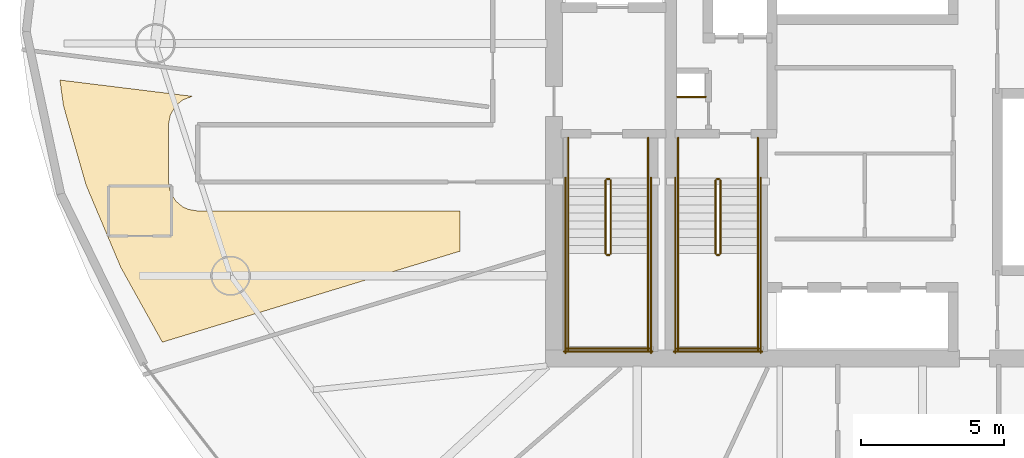
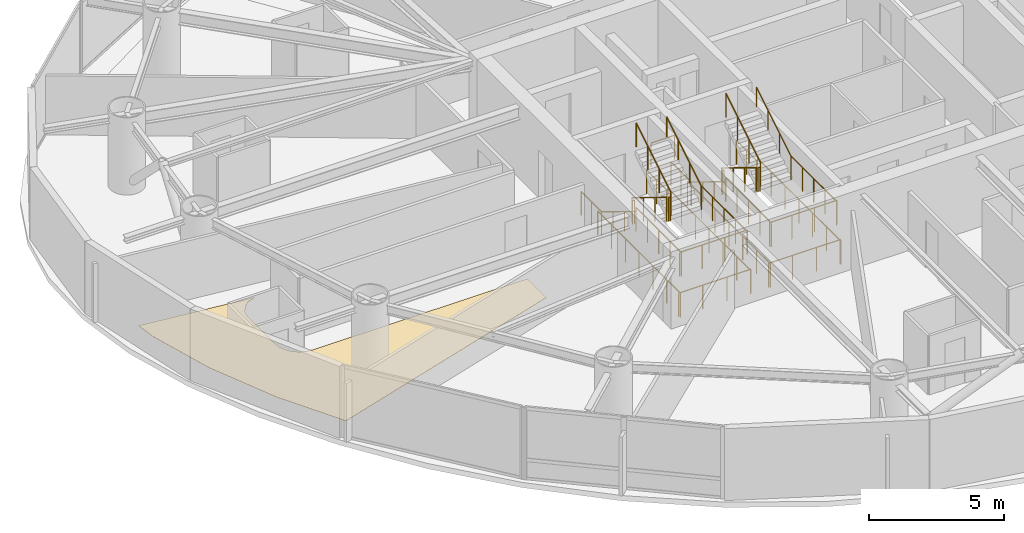
# One storey, part 18 of 20: 29 railings, 1 covering.
"""IFC4 building model written with IfcOpenShell, lengths in metres."""

from ifc_helpers import new_model, si_unit, direction, frame, origin, origin_2d, place, context, subcontext, project, spatial, polyline, circle, outline, extrude, material, layer, layer_set, type_object, element, save


model = new_model("IFC4")

# Units and contexts
model_context = context("Model", 3, precision=1e-05, world=origin(), true_north=direction((0.0, 1.0)))
body_context = subcontext(model_context, "Body", "Model", "MODEL_VIEW")
ifc_project = project(units=[si_unit("LENGTHUNIT", "METRE"), si_unit("AREAUNIT", "SQUARE_METRE"), si_unit("VOLUMEUNIT", "CUBIC_METRE"), si_unit("PLANEANGLEUNIT", "RADIAN"), si_unit("MASSUNIT", "GRAM", prefix="KILO")], contexts=[model_context])

# Site, building, storey
site_placement = place(None, origin())
site = spatial("IfcSite", under=ifc_project, at=site_placement, CompositionType="ELEMENT")
building_placement = place(site_placement, origin())
building = spatial("IfcBuilding", under=site, at=building_placement, Name="Bramvorn Convention Spire", CompositionType="ELEMENT")
storey_placement = place(building_placement, frame((0.0, 0.0, 106.300048828125)))
storey = spatial("IfcBuildingStorey", under=building, at=storey_placement, Name="L25", CompositionType="ELEMENT", Elevation=106.300048828125)

# Covering
ifc_material_1 = material(Name="Solution-Dyed Wool Broadloom Hospitality Carpet", Category="textile")
ifc_layer = layer(ifc_material_1, 0.014892578125)
ifc_layer_set = layer_set([ifc_layer], Name="Solution-Dyed Wool Broadloom Hospitality Carpet - FLR-CARPET-15")
covering_type = type_object("IfcCoveringType", Name="FLR-CARPET-15", PredefinedType="FLOORING", material=ifc_layer_set)
covering_placement = place(storey_placement, origin())
element("IfcCovering", 1, at=covering_placement, inside=storey, type_object=covering_type, Name="Hotel Suite 2508 wool broadloom carpet", PredefinedType="FLOORING", context=body_context, shape_type="SweptSolid", body=[
    extrude(outline(polyline([(13.26171875, 19.3779296875), (23.699951171875, 22.569091796875), (23.699951171875, 23.97998046875), (14.5, 23.97998046875), (14.162109375, 24.037841796875), (13.970703125, 24.12841796875), (13.740478515625, 24.319580078125), (13.58056640625, 24.55859375), (13.50927734375, 24.7578125), (13.47998046875, 25.0), (13.481201171875, 27.044189453125), (13.541748046875, 27.34912109375), (13.740478515625, 27.680419921875), (13.980712890625, 27.877685546875), (14.31298828125, 28.001708984375), (9.668701171875, 28.572021484375), (9.79150390625, 27.676513671875), (10.586181640625, 24.88818359375), (11.802490234375, 22.003662109375), (13.26171875, 19.3779296875)])), origin(), (0.0, 0.0, 1.0), 0.014892578125),
])

# Railings
ifc_material_2 = material(Name="Painted Steel Balustrade & Guardrail", Category="steel")
railing_type_1 = type_object("IfcRailingType", Name="RL-STAIR-GUARD-1100", PredefinedType="GUARDRAIL", material=ifc_material_2)
railing_1_placement = place(storey_placement, frame((28.81005859375, 25.050048828125, 0.175048828125)))
element("IfcRailing", 2, at=railing_1_placement, inside=storey, type_object=railing_type_1, Name="L25 ST1 stair guard 1", PredefinedType="GUARDRAIL", context=body_context, shape_type="SweptSolid", body=[
    extrude(circle(Radius=0.02392578125, at=origin_2d()), frame((0.0, 0.0, 1.076171875), z_axis=(0.0, -0.852173129349, 0.523259933127), x_axis=(1.0, 0.0, 0.0)), (0.0, 0.0, 1.0), 3.009765625),
    extrude(circle(Radius=0.02099609375, at=origin_2d()), origin(), (0.0, 0.0, 1.0), 1.052001953125),
    extrude(circle(Radius=0.02099609375, at=origin_2d()), frame((0.0, -0.85498046875, 0.52490234375)), (0.0, 0.0, 1.0), 1.052001953125),
    extrude(circle(Radius=0.02099609375, at=origin_2d()), frame((0.0, -1.7099609375, 1.050048828125)), (0.0, 0.0, 1.0), 1.052001953125),
    extrude(circle(Radius=0.02099609375, at=origin_2d()), frame((0.0, -2.56494140625, 1.574951171875)), (0.0, 0.0, 1.0), 1.052001953125),
])
railing_2_placement = place(storey_placement, frame((28.860107421875, 22.43505859375, 1.75)))
element("IfcRailing", 3, at=railing_2_placement, inside=storey, type_object=railing_type_1, Name="L25 ST1 stair guard 2", PredefinedType="GUARDRAIL", context=body_context, shape_type="SweptSolid", body=[
    extrude(circle(Radius=0.02392578125, at=origin_2d()), frame((0.0, 0.0, 1.076171875), z_axis=(1.0, 0.0, 0.0), x_axis=(0.0, 1.0, 0.0)), (0.0, 0.0, 1.0), 0.079833984375),
    extrude(circle(Radius=0.02099609375, at=origin_2d()), origin(), (0.0, 0.0, 1.0), 1.052001953125),
    extrude(circle(Radius=0.02099609375, at=origin_2d()), frame((0.079833984375, 0.0, 0.0)), (0.0, 0.0, 1.0), 1.052001953125),
])
for number, where, name in (
    (4, (27.5, 22.485107421875, 1.75), "L25 ST1 stair guard 3"),
    (5, (30.300048828125, 22.485107421875, 1.75), "L25 ST1 stair guard 4"),
):
    element("IfcRailing", number, at=place(storey_placement, frame(where)), inside=storey, type_object=railing_type_1, Name=name, PredefinedType="GUARDRAIL", context=body_context, shape_type="SweptSolid", body=[
        extrude(circle(Radius=0.02392578125, at=origin_2d()), frame((0.0, 0.0, 1.076171875), z_axis=(0.0, -1.0, 0.0), x_axis=(1.0, 0.0, 0.0)), (0.0, 0.0, 1.0), 3.385009765625),
        extrude(circle(Radius=0.02099609375, at=origin_2d()), origin(), (0.0, 0.0, 1.0), 1.052001953125),
        extrude(circle(Radius=0.02099609375, at=origin_2d()), frame((0.0, -0.84619140625, 0.0)), (0.0, 0.0, 1.0), 1.052001953125),
        extrude(circle(Radius=0.02099609375, at=origin_2d()), frame((0.0, -1.6923828125, 0.0)), (0.0, 0.0, 1.0), 1.052001953125),
        extrude(circle(Radius=0.02099609375, at=origin_2d()), frame((0.0, -2.538818359375, 0.0)), (0.0, 0.0, 1.0), 1.052001953125),
        extrude(circle(Radius=0.02099609375, at=origin_2d()), frame((0.0, -3.385009765625, 0.0)), (0.0, 0.0, 1.0), 1.052001953125),
    ])
railing_3_placement = place(storey_placement, frame((27.449951171875, 19.14990234375, 1.75)))
element("IfcRailing", 6, at=railing_3_placement, inside=storey, type_object=railing_type_1, Name="L25 ST1 stair guard 5", PredefinedType="GUARDRAIL", context=body_context, shape_type="SweptSolid", body=[
    extrude(circle(Radius=0.02392578125, at=origin_2d()), frame((0.0, 0.0, 1.076171875), z_axis=(1.0, 0.0, 0.0), x_axis=(0.0, 1.0, 0.0)), (0.0, 0.0, 1.0), 2.900146484375),
    extrude(circle(Radius=0.02099609375, at=origin_2d()), origin(), (0.0, 0.0, 1.0), 1.052001953125),
    extrude(circle(Radius=0.02099609375, at=origin_2d()), frame((0.966796875, 0.0, 0.0)), (0.0, 0.0, 1.0), 1.052001953125),
    extrude(circle(Radius=0.02099609375, at=origin_2d()), frame((1.933349609375, 0.0, 0.0)), (0.0, 0.0, 1.0), 1.052001953125),
    extrude(circle(Radius=0.02099609375, at=origin_2d()), frame((2.900146484375, 0.0, 0.0)), (0.0, 0.0, 1.0), 1.052001953125),
])
railing_4_placement = place(storey_placement, frame((28.989990234375, 22.485107421875, 1.925048828125)))
element("IfcRailing", 7, at=railing_4_placement, inside=storey, type_object=railing_type_1, Name="L25 ST1 stair guard 6", PredefinedType="GUARDRAIL", context=body_context, shape_type="SweptSolid", body=[
    extrude(circle(Radius=0.02392578125, at=origin_2d()), frame((0.0, 0.0, 1.076171875), z_axis=(0.0, 0.852173129349, 0.523259933127), x_axis=(-1.0, 0.0, 0.0)), (0.0, 0.0, 1.0), 3.009765625),
    extrude(circle(Radius=0.02099609375, at=origin_2d()), origin(), (0.0, 0.0, 1.0), 1.052001953125),
    extrude(circle(Radius=0.02099609375, at=origin_2d()), frame((0.0, 0.85498046875, 0.52490234375)), (0.0, 0.0, 1.0), 1.052001953125),
    extrude(circle(Radius=0.02099609375, at=origin_2d()), frame((0.0, 1.7099609375, 1.050048828125)), (0.0, 0.0, 1.0), 1.052001953125),
    extrude(circle(Radius=0.02099609375, at=origin_2d()), frame((0.0, 2.56494140625, 1.574951171875)), (0.0, 0.0, 1.0), 1.052001953125),
])
railing_5_placement = place(storey_placement, frame((28.860107421875, 25.10009765625, 0.0)))
element("IfcRailing", 8, at=railing_5_placement, inside=storey, type_object=railing_type_1, Name="L25 ST1 stair guard 7", PredefinedType="GUARDRAIL", context=body_context, shape_type="SweptSolid", body=[
    extrude(circle(Radius=0.02392578125, at=origin_2d()), frame((0.0, 0.0, 1.076171875), z_axis=(1.0, 0.0, 0.0), x_axis=(0.0, 1.0, 0.0)), (0.0, 0.0, 1.0), 0.079833984375),
    extrude(circle(Radius=0.02099609375, at=origin_2d()), origin(), (0.0, 0.0, 1.0), 1.052001953125),
    extrude(circle(Radius=0.02099609375, at=origin_2d()), frame((0.079833984375, 0.0, 0.0)), (0.0, 0.0, 1.0), 1.052001953125),
])
for number, where, name in (
    (9, (27.5, 26.550048828125, 0.0), "L25 ST1 stair guard 8"),
    (10, (30.300048828125, 26.550048828125, 0.0), "L25 ST1 stair guard 9"),
):
    element("IfcRailing", number, at=place(storey_placement, frame(where)), inside=storey, type_object=railing_type_1, Name=name, PredefinedType="GUARDRAIL", context=body_context, shape_type="SweptSolid", body=[
        extrude(circle(Radius=0.02392578125, at=origin_2d()), frame((0.0, 0.0, 1.076171875), z_axis=(0.0, -1.0, 0.0), x_axis=(1.0, 0.0, 0.0)), (0.0, 0.0, 1.0), 1.5),
        extrude(circle(Radius=0.02099609375, at=origin_2d()), origin(), (0.0, 0.0, 1.0), 1.052001953125),
        extrude(circle(Radius=0.02099609375, at=origin_2d()), frame((0.0, -0.75, 0.0)), (0.0, 0.0, 1.0), 1.052001953125),
        extrude(circle(Radius=0.02099609375, at=origin_2d()), frame((0.0, -1.5, 0.0)), (0.0, 0.0, 1.0), 1.052001953125),
    ])
for number, where, name in (
    (11, (27.39990234375, 25.14990234375, 0.0), "L25 ST1 stair guard 10"),
    (12, (30.39990234375, 25.14990234375, 0.0), "L25 ST1 stair guard 11"),
):
    element("IfcRailing", number, at=place(storey_placement, frame(where)), inside=storey, type_object=railing_type_1, Name=name, PredefinedType="GUARDRAIL", context=body_context, shape_type="SweptSolid", body=[
        extrude(circle(Radius=0.02392578125, at=origin_2d()), frame((0.0, 0.0, 1.076171875), z_axis=(0.0, -1.0, 0.0), x_axis=(1.0, 0.0, 0.0)), (0.0, 0.0, 1.0), 6.14990234375),
        extrude(circle(Radius=0.02099609375, at=origin_2d()), origin(), (0.0, 0.0, 1.0), 1.052001953125),
        extrude(circle(Radius=0.02099609375, at=origin_2d()), frame((0.0, -1.02490234375, 0.0)), (0.0, 0.0, 1.0), 1.052001953125),
        extrude(circle(Radius=0.02099609375, at=origin_2d()), frame((0.0, -2.050048828125, 0.0)), (0.0, 0.0, 1.0), 1.052001953125),
        extrude(circle(Radius=0.02099609375, at=origin_2d()), frame((0.0, -3.074951171875, 0.0)), (0.0, 0.0, 1.0), 1.052001953125),
        extrude(circle(Radius=0.02099609375, at=origin_2d()), frame((0.0, -4.099853515625, 0.0)), (0.0, 0.0, 1.0), 1.052001953125),
        extrude(circle(Radius=0.02099609375, at=origin_2d()), frame((0.0, -5.125, 0.0)), (0.0, 0.0, 1.0), 1.052001953125),
        extrude(circle(Radius=0.02099609375, at=origin_2d()), frame((0.0, -6.14990234375, 0.0)), (0.0, 0.0, 1.0), 1.052001953125),
    ])
railing_6_placement = place(storey_placement, frame((27.35009765625, 19.050048828125, 0.0)))
element("IfcRailing", 13, at=railing_6_placement, inside=storey, type_object=railing_type_1, Name="L25 ST1 stair guard 12", PredefinedType="GUARDRAIL", context=body_context, shape_type="SweptSolid", body=[
    extrude(circle(Radius=0.02392578125, at=origin_2d()), frame((0.0, 0.0, 1.076171875), z_axis=(1.0, 0.0, 0.0), x_axis=(0.0, 1.0, 0.0)), (0.0, 0.0, 1.0), 3.099853515625),
    extrude(circle(Radius=0.02099609375, at=origin_2d()), origin(), (0.0, 0.0, 1.0), 1.052001953125),
    extrude(circle(Radius=0.02099609375, at=origin_2d()), frame((1.033203125, 0.0, 0.0)), (0.0, 0.0, 1.0), 1.052001953125),
    extrude(circle(Radius=0.02099609375, at=origin_2d()), frame((2.066650390625, 0.0, 0.0)), (0.0, 0.0, 1.0), 1.052001953125),
    extrude(circle(Radius=0.02099609375, at=origin_2d()), frame((3.099853515625, 0.0, 0.0)), (0.0, 0.0, 1.0), 1.052001953125),
])
railing_7_placement = place(storey_placement, frame((32.659912109375, 25.050048828125, 0.175048828125)))
element("IfcRailing", 14, at=railing_7_placement, inside=storey, type_object=railing_type_1, Name="L25 ST3 stair guard 1", PredefinedType="GUARDRAIL", context=body_context, shape_type="SweptSolid", body=[
    extrude(circle(Radius=0.02392578125, at=origin_2d()), frame((0.0, 0.0, 1.076171875), z_axis=(0.0, -0.852173129349, 0.523259933127), x_axis=(1.0, 0.0, 0.0)), (0.0, 0.0, 1.0), 3.009765625),
    extrude(circle(Radius=0.02099609375, at=origin_2d()), origin(), (0.0, 0.0, 1.0), 1.052001953125),
    extrude(circle(Radius=0.02099609375, at=origin_2d()), frame((0.0, -0.85498046875, 0.52490234375)), (0.0, 0.0, 1.0), 1.052001953125),
    extrude(circle(Radius=0.02099609375, at=origin_2d()), frame((0.0, -1.7099609375, 1.050048828125)), (0.0, 0.0, 1.0), 1.052001953125),
    extrude(circle(Radius=0.02099609375, at=origin_2d()), frame((0.0, -2.56494140625, 1.574951171875)), (0.0, 0.0, 1.0), 1.052001953125),
])
railing_8_placement = place(storey_placement, frame((32.7099609375, 22.43505859375, 1.75)))
element("IfcRailing", 15, at=railing_8_placement, inside=storey, type_object=railing_type_1, Name="L25 ST3 stair guard 2", PredefinedType="GUARDRAIL", context=body_context, shape_type="SweptSolid", body=[
    extrude(circle(Radius=0.02392578125, at=origin_2d()), frame((0.0, 0.0, 1.076171875), z_axis=(1.0, 0.0, 0.0), x_axis=(0.0, 1.0, 0.0)), (0.0, 0.0, 1.0), 0.080078125),
    extrude(circle(Radius=0.02099609375, at=origin_2d()), origin(), (0.0, 0.0, 1.0), 1.052001953125),
    extrude(circle(Radius=0.02099609375, at=origin_2d()), frame((0.080078125, 0.0, 0.0)), (0.0, 0.0, 1.0), 1.052001953125),
])
for number, where, name in (
    (16, (31.35009765625, 22.485107421875, 1.75), "L25 ST3 stair guard 3"),
    (17, (34.14990234375, 22.485107421875, 1.75), "L25 ST3 stair guard 4"),
):
    element("IfcRailing", number, at=place(storey_placement, frame(where)), inside=storey, type_object=railing_type_1, Name=name, PredefinedType="GUARDRAIL", context=body_context, shape_type="SweptSolid", body=[
        extrude(circle(Radius=0.02392578125, at=origin_2d()), frame((0.0, 0.0, 1.076171875), z_axis=(0.0, -1.0, 0.0), x_axis=(1.0, 0.0, 0.0)), (0.0, 0.0, 1.0), 3.385009765625),
        extrude(circle(Radius=0.02099609375, at=origin_2d()), origin(), (0.0, 0.0, 1.0), 1.052001953125),
        extrude(circle(Radius=0.02099609375, at=origin_2d()), frame((0.0, -0.84619140625, 0.0)), (0.0, 0.0, 1.0), 1.052001953125),
        extrude(circle(Radius=0.02099609375, at=origin_2d()), frame((0.0, -1.6923828125, 0.0)), (0.0, 0.0, 1.0), 1.052001953125),
        extrude(circle(Radius=0.02099609375, at=origin_2d()), frame((0.0, -2.538818359375, 0.0)), (0.0, 0.0, 1.0), 1.052001953125),
        extrude(circle(Radius=0.02099609375, at=origin_2d()), frame((0.0, -3.385009765625, 0.0)), (0.0, 0.0, 1.0), 1.052001953125),
    ])
railing_9_placement = place(storey_placement, frame((31.300048828125, 19.14990234375, 1.75)))
element("IfcRailing", 18, at=railing_9_placement, inside=storey, type_object=railing_type_1, Name="L25 ST3 stair guard 5", PredefinedType="GUARDRAIL", context=body_context, shape_type="SweptSolid", body=[
    extrude(circle(Radius=0.02392578125, at=origin_2d()), frame((0.0, 0.0, 1.076171875), z_axis=(1.0, 0.0, 0.0), x_axis=(0.0, 1.0, 0.0)), (0.0, 0.0, 1.0), 2.89990234375),
    extrude(circle(Radius=0.02099609375, at=origin_2d()), origin(), (0.0, 0.0, 1.0), 1.052001953125),
    extrude(circle(Radius=0.02099609375, at=origin_2d()), frame((0.966552734375, 0.0, 0.0)), (0.0, 0.0, 1.0), 1.052001953125),
    extrude(circle(Radius=0.02099609375, at=origin_2d()), frame((1.933349609375, 0.0, 0.0)), (0.0, 0.0, 1.0), 1.052001953125),
    extrude(circle(Radius=0.02099609375, at=origin_2d()), frame((2.89990234375, 0.0, 0.0)), (0.0, 0.0, 1.0), 1.052001953125),
])
railing_10_placement = place(storey_placement, frame((32.840087890625, 22.485107421875, 1.925048828125)))
element("IfcRailing", 19, at=railing_10_placement, inside=storey, type_object=railing_type_1, Name="L25 ST3 stair guard 6", PredefinedType="GUARDRAIL", context=body_context, shape_type="SweptSolid", body=[
    extrude(circle(Radius=0.02392578125, at=origin_2d()), frame((0.0, 0.0, 1.076171875), z_axis=(0.0, 0.852173129349, 0.523259933127), x_axis=(-1.0, 0.0, 0.0)), (0.0, 0.0, 1.0), 3.009765625),
    extrude(circle(Radius=0.02099609375, at=origin_2d()), origin(), (0.0, 0.0, 1.0), 1.052001953125),
    extrude(circle(Radius=0.02099609375, at=origin_2d()), frame((0.0, 0.85498046875, 0.52490234375)), (0.0, 0.0, 1.0), 1.052001953125),
    extrude(circle(Radius=0.02099609375, at=origin_2d()), frame((0.0, 1.7099609375, 1.050048828125)), (0.0, 0.0, 1.0), 1.052001953125),
    extrude(circle(Radius=0.02099609375, at=origin_2d()), frame((0.0, 2.56494140625, 1.574951171875)), (0.0, 0.0, 1.0), 1.052001953125),
])
railing_11_placement = place(storey_placement, frame((32.7099609375, 25.10009765625, 0.0)))
element("IfcRailing", 20, at=railing_11_placement, inside=storey, type_object=railing_type_1, Name="L25 ST3 stair guard 7", PredefinedType="GUARDRAIL", context=body_context, shape_type="SweptSolid", body=[
    extrude(circle(Radius=0.02392578125, at=origin_2d()), frame((0.0, 0.0, 1.076171875), z_axis=(1.0, 0.0, 0.0), x_axis=(0.0, 1.0, 0.0)), (0.0, 0.0, 1.0), 0.080078125),
    extrude(circle(Radius=0.02099609375, at=origin_2d()), origin(), (0.0, 0.0, 1.0), 1.052001953125),
    extrude(circle(Radius=0.02099609375, at=origin_2d()), frame((0.080078125, 0.0, 0.0)), (0.0, 0.0, 1.0), 1.052001953125),
])
for number, where, name in (
    (21, (31.35009765625, 26.550048828125, 0.0), "L25 ST3 stair guard 8"),
    (22, (34.14990234375, 26.550048828125, 0.0), "L25 ST3 stair guard 9"),
):
    element("IfcRailing", number, at=place(storey_placement, frame(where)), inside=storey, type_object=railing_type_1, Name=name, PredefinedType="GUARDRAIL", context=body_context, shape_type="SweptSolid", body=[
        extrude(circle(Radius=0.02392578125, at=origin_2d()), frame((0.0, 0.0, 1.076171875), z_axis=(0.0, -1.0, 0.0), x_axis=(1.0, 0.0, 0.0)), (0.0, 0.0, 1.0), 1.5),
        extrude(circle(Radius=0.02099609375, at=origin_2d()), origin(), (0.0, 0.0, 1.0), 1.052001953125),
        extrude(circle(Radius=0.02099609375, at=origin_2d()), frame((0.0, -0.75, 0.0)), (0.0, 0.0, 1.0), 1.052001953125),
        extrude(circle(Radius=0.02099609375, at=origin_2d()), frame((0.0, -1.5, 0.0)), (0.0, 0.0, 1.0), 1.052001953125),
    ])
for number, where, name in (
    (23, (31.25, 25.14990234375, 0.0), "L25 ST3 stair guard 10"),
    (24, (34.25, 25.14990234375, 0.0), "L25 ST3 stair guard 11"),
):
    element("IfcRailing", number, at=place(storey_placement, frame(where)), inside=storey, type_object=railing_type_1, Name=name, PredefinedType="GUARDRAIL", context=body_context, shape_type="SweptSolid", body=[
        extrude(circle(Radius=0.02392578125, at=origin_2d()), frame((0.0, 0.0, 1.076171875), z_axis=(0.0, -1.0, 0.0), x_axis=(1.0, 0.0, 0.0)), (0.0, 0.0, 1.0), 6.14990234375),
        extrude(circle(Radius=0.02099609375, at=origin_2d()), origin(), (0.0, 0.0, 1.0), 1.052001953125),
        extrude(circle(Radius=0.02099609375, at=origin_2d()), frame((0.0, -1.02490234375, 0.0)), (0.0, 0.0, 1.0), 1.052001953125),
        extrude(circle(Radius=0.02099609375, at=origin_2d()), frame((0.0, -2.050048828125, 0.0)), (0.0, 0.0, 1.0), 1.052001953125),
        extrude(circle(Radius=0.02099609375, at=origin_2d()), frame((0.0, -3.074951171875, 0.0)), (0.0, 0.0, 1.0), 1.052001953125),
        extrude(circle(Radius=0.02099609375, at=origin_2d()), frame((0.0, -4.099853515625, 0.0)), (0.0, 0.0, 1.0), 1.052001953125),
        extrude(circle(Radius=0.02099609375, at=origin_2d()), frame((0.0, -5.125, 0.0)), (0.0, 0.0, 1.0), 1.052001953125),
        extrude(circle(Radius=0.02099609375, at=origin_2d()), frame((0.0, -6.14990234375, 0.0)), (0.0, 0.0, 1.0), 1.052001953125),
    ])
railing_12_placement = place(storey_placement, frame((31.199951171875, 19.050048828125, 0.0)))
element("IfcRailing", 25, at=railing_12_placement, inside=storey, type_object=railing_type_1, Name="L25 ST3 stair guard 12", PredefinedType="GUARDRAIL", context=body_context, shape_type="SweptSolid", body=[
    extrude(circle(Radius=0.02392578125, at=origin_2d()), frame((0.0, 0.0, 1.076171875), z_axis=(1.0, 0.0, 0.0), x_axis=(0.0, 1.0, 0.0)), (0.0, 0.0, 1.0), 3.10009765625),
    extrude(circle(Radius=0.02099609375, at=origin_2d()), origin(), (0.0, 0.0, 1.0), 1.052001953125),
    extrude(circle(Radius=0.02099609375, at=origin_2d()), frame((1.033447265625, 0.0, 0.0)), (0.0, 0.0, 1.0), 1.052001953125),
    extrude(circle(Radius=0.02099609375, at=origin_2d()), frame((2.066650390625, 0.0, 0.0)), (0.0, 0.0, 1.0), 1.052001953125),
    extrude(circle(Radius=0.02099609375, at=origin_2d()), frame((3.10009765625, 0.0, 0.0)), (0.0, 0.0, 1.0), 1.052001953125),
])
railing_13_placement = place(storey_placement, frame((31.320068359375, 27.97998046875, 0.0)))
element("IfcRailing", 26, at=railing_13_placement, inside=storey, type_object=railing_type_1, Name="L25 Telecom riser shaft opening safety guardrail", PredefinedType="GUARDRAIL", context=body_context, shape_type="SweptSolid", body=[
    extrude(circle(Radius=0.02392578125, at=origin_2d()), frame((0.0, 0.0, 1.076171875), z_axis=(1.0, 0.0, 0.0), x_axis=(0.0, 1.0, 0.0)), (0.0, 0.0, 1.0), 1.0),
    extrude(circle(Radius=0.02099609375, at=origin_2d()), origin(), (0.0, 0.0, 1.0), 1.052001953125),
    extrude(circle(Radius=0.02099609375, at=origin_2d()), frame((1.0, 0.0, 0.0)), (0.0, 0.0, 1.0), 1.052001953125),
])
ifc_material_3 = material(Name="Brushed Bronze Tubular Handrail", Category="aluminium")
railing_type_2 = type_object("IfcRailingType", Name="RL-STAIR-HR-920", PredefinedType="HANDRAIL", material=ifc_material_3)
railing_14_placement = place(storey_placement, frame((27.5, 25.050048828125, 0.175048828125)))
element("IfcRailing", 27, at=railing_14_placement, inside=storey, type_object=railing_type_2, Name="L25 ST1 stair handrail 1", PredefinedType="HANDRAIL", context=body_context, shape_type="SweptSolid", body=[
    extrude(circle(Radius=0.02392578125, at=origin_2d()), frame((0.0, 0.0, 0.89599609375), z_axis=(0.0, -0.852173129349, 0.523259933127), x_axis=(1.0, 0.0, 0.0)), (0.0, 0.0, 1.0), 3.009765625),
    extrude(circle(Radius=0.02099609375, at=origin_2d()), origin(), (0.0, 0.0, 1.0), 0.871826171875),
    extrude(circle(Radius=0.02099609375, at=origin_2d()), frame((0.0, -0.85498046875, 0.52490234375)), (0.0, 0.0, 1.0), 0.871826171875),
    extrude(circle(Radius=0.02099609375, at=origin_2d()), frame((0.0, -1.7099609375, 1.050048828125)), (0.0, 0.0, 1.0), 0.871826171875),
    extrude(circle(Radius=0.02099609375, at=origin_2d()), frame((0.0, -2.56494140625, 1.574951171875)), (0.0, 0.0, 1.0), 0.871826171875),
])
railing_15_placement = place(storey_placement, frame((30.300048828125, 22.485107421875, 1.925048828125)))
element("IfcRailing", 28, at=railing_15_placement, inside=storey, type_object=railing_type_2, Name="L25 ST1 stair handrail 2", PredefinedType="HANDRAIL", context=body_context, shape_type="SweptSolid", body=[
    extrude(circle(Radius=0.02392578125, at=origin_2d()), frame((0.0, 0.0, 0.89599609375), z_axis=(0.0, 0.852173129349, 0.523259933127), x_axis=(-1.0, 0.0, 0.0)), (0.0, 0.0, 1.0), 3.009765625),
    extrude(circle(Radius=0.02099609375, at=origin_2d()), origin(), (0.0, 0.0, 1.0), 0.871826171875),
    extrude(circle(Radius=0.02099609375, at=origin_2d()), frame((0.0, 0.85498046875, 0.52490234375)), (0.0, 0.0, 1.0), 0.871826171875),
    extrude(circle(Radius=0.02099609375, at=origin_2d()), frame((0.0, 1.7099609375, 1.050048828125)), (0.0, 0.0, 1.0), 0.871826171875),
    extrude(circle(Radius=0.02099609375, at=origin_2d()), frame((0.0, 2.56494140625, 1.574951171875)), (0.0, 0.0, 1.0), 0.871826171875),
])
railing_16_placement = place(storey_placement, frame((31.35009765625, 25.050048828125, 0.175048828125)))
element("IfcRailing", 29, at=railing_16_placement, inside=storey, type_object=railing_type_2, Name="L25 ST3 stair handrail 1", PredefinedType="HANDRAIL", context=body_context, shape_type="SweptSolid", body=[
    extrude(circle(Radius=0.02392578125, at=origin_2d()), frame((0.0, 0.0, 0.89599609375), z_axis=(0.0, -0.852173129349, 0.523259933127), x_axis=(1.0, 0.0, 0.0)), (0.0, 0.0, 1.0), 3.009765625),
    extrude(circle(Radius=0.02099609375, at=origin_2d()), origin(), (0.0, 0.0, 1.0), 0.871826171875),
    extrude(circle(Radius=0.02099609375, at=origin_2d()), frame((0.0, -0.85498046875, 0.52490234375)), (0.0, 0.0, 1.0), 0.871826171875),
    extrude(circle(Radius=0.02099609375, at=origin_2d()), frame((0.0, -1.7099609375, 1.050048828125)), (0.0, 0.0, 1.0), 0.871826171875),
    extrude(circle(Radius=0.02099609375, at=origin_2d()), frame((0.0, -2.56494140625, 1.574951171875)), (0.0, 0.0, 1.0), 0.871826171875),
])
railing_17_placement = place(storey_placement, frame((34.14990234375, 22.485107421875, 1.925048828125)))
element("IfcRailing", 30, at=railing_17_placement, inside=storey, type_object=railing_type_2, Name="L25 ST3 stair handrail 2", PredefinedType="HANDRAIL", context=body_context, shape_type="SweptSolid", body=[
    extrude(circle(Radius=0.02392578125, at=origin_2d()), frame((0.0, 0.0, 0.89599609375), z_axis=(0.0, 0.852173129349, 0.523259933127), x_axis=(-1.0, 0.0, 0.0)), (0.0, 0.0, 1.0), 3.009765625),
    extrude(circle(Radius=0.02099609375, at=origin_2d()), origin(), (0.0, 0.0, 1.0), 0.871826171875),
    extrude(circle(Radius=0.02099609375, at=origin_2d()), frame((0.0, 0.85498046875, 0.52490234375)), (0.0, 0.0, 1.0), 0.871826171875),
    extrude(circle(Radius=0.02099609375, at=origin_2d()), frame((0.0, 1.7099609375, 1.050048828125)), (0.0, 0.0, 1.0), 0.871826171875),
    extrude(circle(Radius=0.02099609375, at=origin_2d()), frame((0.0, 2.56494140625, 1.574951171875)), (0.0, 0.0, 1.0), 0.871826171875),
])

save(model, "model.ifc")
